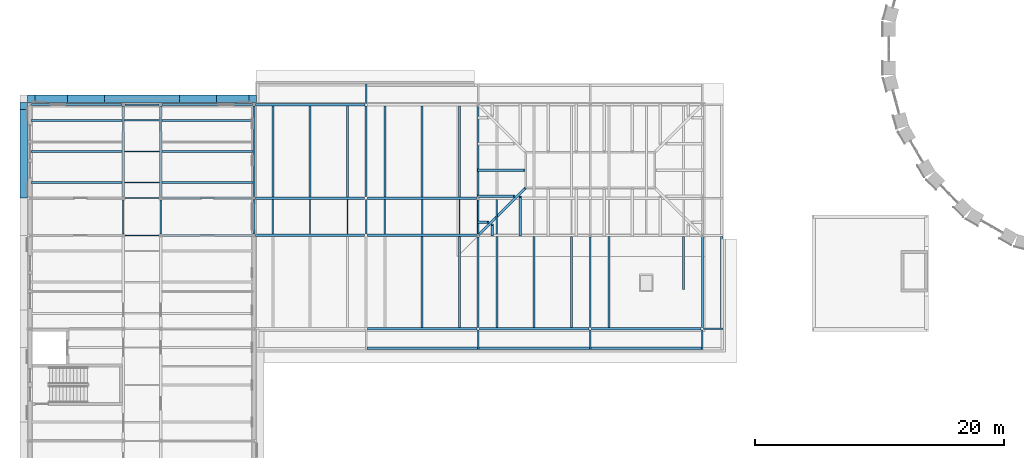
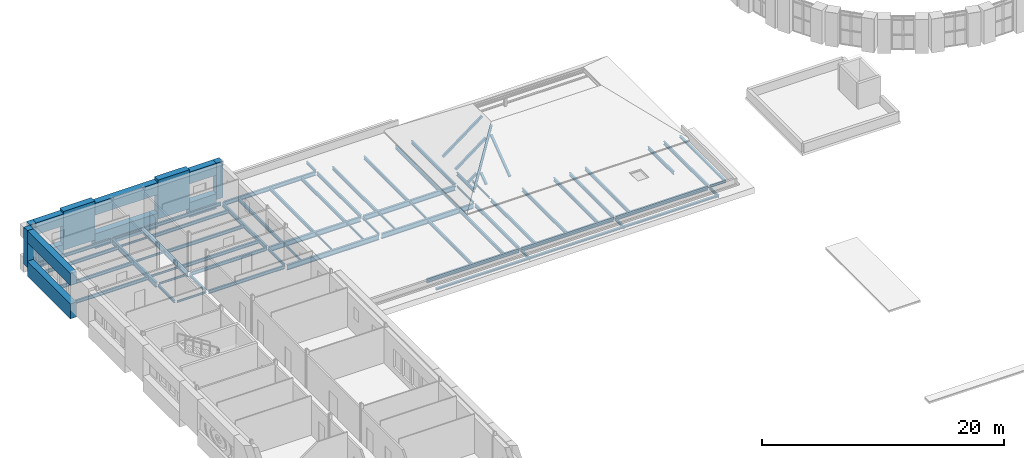
# One storey, part 9 of 42: 75 beams, 11 members.
"""IFC4 building model written with IfcOpenShell, lengths in metres."""

from ifc_helpers import new_model, si_unit, direction, frame, origin, origin_2d, place, context, subcontext, project, spatial, rectangle, hollow_rectangle, i_section, extrude, material, material_profile, profile_set, type_object, element, save


model = new_model("IFC4")

# Units and contexts
model_context = context("Model", 3, precision=1e-05, world=origin(), true_north=direction((0.0, 1.0)))
body_context = subcontext(model_context, "Body", "Model", "MODEL_VIEW")
ifc_project = project(units=[si_unit("LENGTHUNIT", "METRE"), si_unit("AREAUNIT", "SQUARE_METRE"), si_unit("VOLUMEUNIT", "CUBIC_METRE"), si_unit("PLANEANGLEUNIT", "RADIAN"), si_unit("MASSUNIT", "GRAM", prefix="KILO")], contexts=[model_context])

# Site, building, storey
site_placement = place(None, origin())
site = spatial("IfcSite", under=ifc_project, at=site_placement, CompositionType="ELEMENT")
building_placement = place(site_placement, origin())
building = spatial("IfcBuilding", under=site, at=building_placement, Name="Golden Quay Civic Hall", CompositionType="ELEMENT")
storey_placement = place(building_placement, frame((0.0, 0.0, 22.800048828125)))
storey = spatial("IfcBuildingStorey", under=building, at=storey_placement, Name="L05", CompositionType="ELEMENT", Elevation=22.800048828125)

# Beams
ifc_material_1 = material(Name="Steel S355", Category="steel")
ifc_material_profile_1 = material_profile(ifc_material_1, i_section(OverallWidth=0.199951171875, OverallDepth=0.18994140625, WebThickness=0.006591796875, FlangeThickness=0.010009765625, FilletRadius=0.01806640625, at=origin_2d()), Name="HEA 200")
ifc_profile_set_1 = profile_set([ifc_material_profile_1], Name="Steel S355")
beam_type_1 = type_object("IfcBeamType", Name="Eave edge beam HEA 200", PredefinedType="BEAM", material=ifc_profile_set_1)
beam_1_placement = place(storey_placement, frame((55.550048828125, 63.0673828125, -0.344970703125), z_axis=(0.0, 1.0, 0.0), x_axis=(-1.0, 0.0, 0.0)))
element("IfcBeam", 1, at=beam_1_placement, inside=storey, type_object=beam_type_1, Name="Eave edge beam HEA 200 L05 4", PredefinedType="BEAM", context=body_context, shape_type="SweptSolid", body=[
    extrude(i_section(OverallWidth=0.199951171875, OverallDepth=0.18994140625, WebThickness=0.006591796875, FlangeThickness=0.010009765625, FilletRadius=0.01806640625, at=origin_2d()), origin(), (0.0, 0.0, 1.0), 7.365234375),
])
for number, where, z_axis, x_axis, name in (
    (2, (27.0673828125, 61.449951171875, -0.344970703125), (1.0, 0.0, 0.0), (0.0, 1.0, 0.0), "Eave edge beam HEA 200 L05 7"),
    (3, (36.0673828125, 61.449951171875, -0.344970703125), (1.0, 0.0, 0.0), (0.0, 1.0, 0.0), "Eave edge beam HEA 200 L05 8"),
    (4, (45.0673828125, 61.449951171875, -0.344970703125), (1.0, 0.0, 0.0), (0.0, 1.0, 0.0), "Eave edge beam HEA 200 L05 9"),
):
    element("IfcBeam", number, at=place(storey_placement, frame(where, z_axis=z_axis, x_axis=x_axis)), inside=storey, type_object=beam_type_1, Name=name, PredefinedType="BEAM", context=body_context, shape_type="SweptSolid", body=[
        extrude(i_section(OverallWidth=0.199951171875, OverallDepth=0.18994140625, WebThickness=0.006591796875, FlangeThickness=0.010009765625, FilletRadius=0.01806640625, at=origin_2d()), origin(), (0.0, 0.0, 1.0), 8.865234375),
    ])
ifc_material_2 = material(Name="Steel S355", Category="steel")
ifc_material_profile_2 = material_profile(ifc_material_2, i_section(OverallWidth=0.135009765625, OverallDepth=0.27001953125, WebThickness=0.006591796875, FlangeThickness=0.01025390625, FilletRadius=0.014892578125, at=origin_2d()), Name="IPE 270")
ifc_profile_set_2 = profile_set([ifc_material_profile_2], Name="Steel S355")
beam_type_2 = type_object("IfcBeamType", Name="Eave stub IPE 270", PredefinedType="BEAM", material=ifc_profile_set_2)
beam_2_placement = place(storey_placement, frame((27.0, 81.094970703125, -0.385009765625), z_axis=(0.0, 1.0, 0.0), x_axis=(-1.0, 0.0, 0.0)))
element("IfcBeam", 5, at=beam_2_placement, inside=storey, type_object=beam_type_2, Name="Eave stub IPE 270 L05 1", PredefinedType="BEAM", context=body_context, shape_type="SweptSolid", body=[
    extrude(i_section(OverallWidth=0.135009765625, OverallDepth=0.27001953125, WebThickness=0.006591796875, FlangeThickness=0.01025390625, FilletRadius=0.014892578125, at=origin_2d()), origin(), (0.0, 0.0, 1.0), 1.554931640625),
])
beam_3_placement = place(storey_placement, frame((54.10009765625, 63.0, -0.385009765625), z_axis=(1.0, 0.0, 0.0), x_axis=(0.0, 1.0, 0.0)))
element("IfcBeam", 6, at=beam_3_placement, inside=storey, type_object=beam_type_2, Name="Eave stub IPE 270 L05 5", PredefinedType="BEAM", context=body_context, shape_type="SweptSolid", body=[
    extrude(i_section(OverallWidth=0.135009765625, OverallDepth=0.27001953125, WebThickness=0.006591796875, FlangeThickness=0.01025390625, FilletRadius=0.014892578125, at=origin_2d()), origin(), (0.0, 0.0, 1.0), 1.5498046875),
])
for number, where, z_axis, x_axis, name in (
    (7, (36.0, 62.905029296875, -0.385009765625), (0.0, -1.0, 0.0), (1.0, 0.0, 0.0), "Eave stub IPE 270 L05 10"),
    (8, (45.0, 62.905029296875, -0.385009765625), (0.0, -1.0, 0.0), (1.0, 0.0, 0.0), "Eave stub IPE 270 L05 11"),
    (9, (54.0, 62.905029296875, -0.385009765625), (0.0, -1.0, 0.0), (1.0, 0.0, 0.0), "Eave stub IPE 270 L05 12"),
):
    element("IfcBeam", number, at=place(storey_placement, frame(where, z_axis=z_axis, x_axis=x_axis)), inside=storey, type_object=beam_type_2, Name=name, PredefinedType="BEAM", context=body_context, shape_type="SweptSolid", body=[
        extrude(i_section(OverallWidth=0.135009765625, OverallDepth=0.27001953125, WebThickness=0.006591796875, FlangeThickness=0.01025390625, FilletRadius=0.014892578125, at=origin_2d()), origin(), (0.0, 0.0, 1.0), 1.554931640625),
    ])

# Members
ifc_material_3 = material(Name="Concrete C40/50", Category="concrete")
ifc_material_profile_3 = material_profile(ifc_material_3, rectangle(XDim=3.0, YDim=0.60009765625, at=origin_2d()), Name="RC 3000x600")
ifc_profile_set_3 = profile_set([ifc_material_profile_3], Name="Concrete C40/50")
member_type_1 = type_object("IfcMemberType", Name="Precast concrete facade pier 3000 x 600", PredefinedType="POST", material=ifc_profile_set_3)
for number, where, z_axis, x_axis, name in (
    (10, (4.5, 81.5, 0.0), (0.0, 0.0, 1.0), (1.0, 0.0, 0.0), "Precast concrete facade pier 3000 x 600 L05 15"),
    (11, (13.5, 81.5, 0.0), (0.0, 0.0, 1.0), (1.0, 0.0, 0.0), "Precast concrete facade pier 3000 x 600 L05 16"),
):
    element("IfcMember", number, at=place(storey_placement, frame(where, z_axis=z_axis, x_axis=x_axis)), inside=storey, type_object=member_type_1, Name=name, PredefinedType="POST", context=body_context, shape_type="SweptSolid", body=[
        extrude(rectangle(XDim=3.0, YDim=0.60009765625, at=origin_2d()), origin(), (0.0, 0.0, 1.0), 3.919921875),
    ])
ifc_material_4 = material(Name="Concrete C40/50", Category="concrete")
ifc_material_profile_4 = material_profile(ifc_material_4, rectangle(XDim=0.60009765625, YDim=0.60009765625, at=origin_2d()), Name="RC 600x600")
ifc_profile_set_4 = profile_set([ifc_material_profile_4], Name="Concrete C40/50")
member_type_2 = type_object("IfcMemberType", Name="Precast concrete facade post 600 x 600", PredefinedType="POST", material=ifc_profile_set_4)
for number, where, z_axis, x_axis, name in (
    (12, (-0.5, 80.89990234375, 0.0), (0.0, 0.0, 1.0), (1.0, 0.0, 0.0), "Precast concrete facade post 600 x 600 L05 1"),
    (13, (0.10009765625, 81.5, 0.0), (0.0, 0.0, 1.0), (1.0, 0.0, 0.0), "Precast concrete facade post 600 x 600 L05 2"),
    (14, (17.89990234375, 81.5, 0.0), (0.0, 0.0, 1.0), (1.0, 0.0, 0.0), "Precast concrete facade post 600 x 600 L05 3"),
):
    element("IfcMember", number, at=place(storey_placement, frame(where, z_axis=z_axis, x_axis=x_axis)), inside=storey, type_object=member_type_2, Name=name, PredefinedType="POST", context=body_context, shape_type="SweptSolid", body=[
        extrude(rectangle(XDim=0.60009765625, YDim=0.60009765625, at=origin_2d()), origin(), (0.0, 0.0, 1.0), 3.679931640625),
    ])

# Beams
ifc_material_5 = material(Name="Concrete C40/50", Category="concrete")
ifc_material_profile_5 = material_profile(ifc_material_5, rectangle(XDim=0.60009765625, YDim=1.199951171875, at=origin_2d()), Name="RC 600x1200")
ifc_profile_set_5 = profile_set([ifc_material_profile_5], Name="Concrete C40/50")
beam_type_3 = type_object("IfcBeamType", Name="Precast concrete spandrel beam 600 x 1200", PredefinedType="SPANDREL", material=ifc_profile_set_5)
beam_4_placement = place(storey_placement, frame((0.39990234375, 81.5, 3.079833984375), z_axis=(1.0, 0.0, 0.0), x_axis=(0.0, 1.0, 0.0)))
element("IfcBeam", 15, at=beam_4_placement, inside=storey, type_object=beam_type_3, Name="Precast concrete spandrel beam 600 x 1200 L05 2", PredefinedType="SPANDREL", context=body_context, shape_type="SweptSolid", body=[
    extrude(rectangle(XDim=0.60009765625, YDim=1.199951171875, at=origin_2d()), origin(), (0.0, 0.0, 1.0), 2.60009765625),
])
beam_5_placement = place(storey_placement, frame((-0.5, 73.5, 3.079833984375), z_axis=(0.0, 1.0, 0.0), x_axis=(-1.0, 0.0, 0.0)))
element("IfcBeam", 16, at=beam_5_placement, inside=storey, type_object=beam_type_3, Name="Precast concrete spandrel beam 600 x 1200 L05 3", PredefinedType="SPANDREL", context=body_context, shape_type="SweptSolid", body=[
    extrude(rectangle(XDim=0.60009765625, YDim=1.199951171875, at=origin_2d()), origin(), (0.0, 0.0, 1.0), 7.10009765625),
])
beam_6_placement = place(storey_placement, frame((15.0, 81.5, 3.079833984375), z_axis=(1.0, 0.0, 0.0), x_axis=(0.0, 1.0, 0.0)))
element("IfcBeam", 17, at=beam_6_placement, inside=storey, type_object=beam_type_3, Name="Precast concrete spandrel beam 600 x 1200 L05 4", PredefinedType="SPANDREL", context=body_context, shape_type="SweptSolid", body=[
    extrude(rectangle(XDim=0.60009765625, YDim=1.199951171875, at=origin_2d()), origin(), (0.0, 0.0, 1.0), 2.60009765625),
])
beam_7_placement = place(storey_placement, frame((6.0, 81.5, 3.079833984375), z_axis=(1.0, 0.0, 0.0), x_axis=(0.0, 1.0, 0.0)))
element("IfcBeam", 18, at=beam_7_placement, inside=storey, type_object=beam_type_3, Name="Precast concrete spandrel beam 600 x 1200 L05 5", PredefinedType="SPANDREL", context=body_context, shape_type="SweptSolid", body=[
    extrude(rectangle(XDim=0.60009765625, YDim=1.199951171875, at=origin_2d()), origin(), (0.0, 0.0, 1.0), 6.0),
])
ifc_material_6 = material(Name="Concrete C40/50", Category="concrete")
ifc_material_profile_6 = material_profile(ifc_material_6, rectangle(XDim=0.60009765625, YDim=1.5, at=origin_2d()), Name="RC 600x1500")
ifc_profile_set_6 = profile_set([ifc_material_profile_6], Name="Concrete C40/50")
beam_type_4 = type_object("IfcBeamType", Name="Precast concrete spandrel beam 600 x 1500", PredefinedType="SPANDREL", material=ifc_profile_set_6)
beam_8_placement = place(storey_placement, frame((0.39990234375, 81.5, -0.150146484375), z_axis=(1.0, 0.0, 0.0), x_axis=(0.0, 1.0, 0.0)))
element("IfcBeam", 19, at=beam_8_placement, inside=storey, type_object=beam_type_4, Name="Precast concrete spandrel beam 600 x 1500 L05 2", PredefinedType="SPANDREL", context=body_context, shape_type="SweptSolid", body=[
    extrude(rectangle(XDim=0.60009765625, YDim=1.5, at=origin_2d()), origin(), (0.0, 0.0, 1.0), 2.60009765625),
])
beam_9_placement = place(storey_placement, frame((-0.5, 73.5, -0.150146484375), z_axis=(0.0, 1.0, 0.0), x_axis=(-1.0, 0.0, 0.0)))
element("IfcBeam", 20, at=beam_9_placement, inside=storey, type_object=beam_type_4, Name="Precast concrete spandrel beam 600 x 1500 L05 3", PredefinedType="SPANDREL", context=body_context, shape_type="SweptSolid", body=[
    extrude(rectangle(XDim=0.60009765625, YDim=1.5, at=origin_2d()), origin(), (0.0, 0.0, 1.0), 7.10009765625),
])
beam_10_placement = place(storey_placement, frame((15.0, 81.5, -0.150146484375), z_axis=(1.0, 0.0, 0.0), x_axis=(0.0, 1.0, 0.0)))
element("IfcBeam", 21, at=beam_10_placement, inside=storey, type_object=beam_type_4, Name="Precast concrete spandrel beam 600 x 1500 L05 4", PredefinedType="SPANDREL", context=body_context, shape_type="SweptSolid", body=[
    extrude(rectangle(XDim=0.60009765625, YDim=1.5, at=origin_2d()), origin(), (0.0, 0.0, 1.0), 2.60009765625),
])
beam_11_placement = place(storey_placement, frame((6.0, 81.5, -0.150146484375), z_axis=(1.0, 0.0, 0.0), x_axis=(0.0, 1.0, 0.0)))
element("IfcBeam", 22, at=beam_11_placement, inside=storey, type_object=beam_type_4, Name="Precast concrete spandrel beam 600 x 1500 L05 5", PredefinedType="SPANDREL", context=body_context, shape_type="SweptSolid", body=[
    extrude(rectangle(XDim=0.60009765625, YDim=1.5, at=origin_2d()), origin(), (0.0, 0.0, 1.0), 6.0),
])
ifc_material_7 = material(Name="Steel S355", Category="steel")
ifc_material_profile_7 = material_profile(ifc_material_7, i_section(OverallWidth=0.10009765625, OverallDepth=0.199951171875, WebThickness=0.005615234375, FlangeThickness=0.008544921875, FilletRadius=0.011962890625, at=origin_2d()), Name="IPE 200")
ifc_profile_set_7 = profile_set([ifc_material_profile_7], Name="Steel S355")
beam_type_5 = type_object("IfcBeamType", Name="Steel beam IPE 200", PredefinedType="BEAM", material=ifc_profile_set_7)
for number, where, z_axis, x_axis, name in (
    (23, (7.639892578125, 70.5, -0.300048828125), (1.0, 0.0, 0.0), (0.0, 1.0, 0.0), "Beam S70.5-7.5"),
    (24, (7.639892578125, 73.5, -0.300048828125), (1.0, 0.0, 0.0), (0.0, 1.0, 0.0), "Beam S73.5-7.5"),
):
    element("IfcBeam", number, at=place(storey_placement, frame(where, z_axis=z_axis, x_axis=x_axis)), inside=storey, type_object=beam_type_5, Name=name, PredefinedType="BEAM", context=body_context, shape_type="SweptSolid", body=[
        extrude(i_section(OverallWidth=0.10009765625, OverallDepth=0.199951171875, WebThickness=0.005615234375, FlangeThickness=0.008544921875, FilletRadius=0.011962890625, at=origin_2d()), origin(), (0.0, 0.0, 1.0), 2.72021484375),
    ])
beam_12_placement = place(storey_placement, frame((7.6201171875, 81.0, -0.300048828125), z_axis=(1.0, 0.0, 0.0), x_axis=(0.0, 1.0, 0.0)))
element("IfcBeam", 25, at=beam_12_placement, inside=storey, type_object=beam_type_5, Name="Beam S81-7.5", PredefinedType="BEAM", context=body_context, shape_type="SweptSolid", body=[
    extrude(i_section(OverallWidth=0.10009765625, OverallDepth=0.199951171875, WebThickness=0.005615234375, FlangeThickness=0.008544921875, FilletRadius=0.011962890625, at=origin_2d()), origin(), (0.0, 0.0, 1.0), 2.759765625),
])
for number, where, z_axis, x_axis, name in (
    (26, (27.0, 70.614990234375, -0.35009765625), (0.0, 1.0, 0.0), (-1.0, 0.0, 0.0), "Beam S27-70.5"),
    (27, (36.0, 70.614990234375, -0.35009765625), (0.0, 1.0, 0.0), (-1.0, 0.0, 0.0), "Beam S36-70.5"),
):
    element("IfcBeam", number, at=place(storey_placement, frame(where, z_axis=z_axis, x_axis=x_axis)), inside=storey, type_object=beam_type_5, Name=name, PredefinedType="BEAM", context=body_context, shape_type="SweptSolid", body=[
        extrude(i_section(OverallWidth=0.10009765625, OverallDepth=0.199951171875, WebThickness=0.005615234375, FlangeThickness=0.008544921875, FilletRadius=0.011962890625, at=origin_2d()), origin(), (0.0, 0.0, 1.0), 2.77001953125),
    ])
ifc_material_8 = material(Name="Steel S355", Category="steel")
ifc_material_profile_8 = material_profile(ifc_material_8, i_section(OverallWidth=0.135009765625, OverallDepth=0.27001953125, WebThickness=0.006591796875, FlangeThickness=0.01025390625, FilletRadius=0.014892578125, at=origin_2d()), Name="IPE 270")
ifc_profile_set_8 = profile_set([ifc_material_profile_8], Name="Steel S355")
beam_type_6 = type_object("IfcBeamType", Name="Steel beam IPE 270", PredefinedType="BEAM", material=ifc_profile_set_8)
for number, where, z_axis, x_axis, name in (
    (28, (7.5, 70.635009765625, -0.3349609375), (0.0, 1.0, 0.0), (-1.0, 0.0, 0.0), "Beam L7.5-70.5"),
    (29, (10.5, 70.635009765625, -0.3349609375), (0.0, 1.0, 0.0), (-1.0, 0.0, 0.0), "Beam L10.5-70.5"),
):
    element("IfcBeam", number, at=place(storey_placement, frame(where, z_axis=z_axis, x_axis=x_axis)), inside=storey, type_object=beam_type_6, Name=name, PredefinedType="BEAM", context=body_context, shape_type="SweptSolid", body=[
        extrude(i_section(OverallWidth=0.135009765625, OverallDepth=0.27001953125, WebThickness=0.006591796875, FlangeThickness=0.01025390625, FilletRadius=0.014892578125, at=origin_2d()), origin(), (0.0, 0.0, 1.0), 2.72998046875),
    ])
beam_13_placement = place(storey_placement, frame((18.0, 70.614990234375, -0.3349609375), z_axis=(0.0, 1.0, 0.0), x_axis=(-1.0, 0.0, 0.0)))
element("IfcBeam", 30, at=beam_13_placement, inside=storey, type_object=beam_type_6, Name="Beam L18-70.5", PredefinedType="BEAM", context=body_context, shape_type="SweptSolid", body=[
    extrude(i_section(OverallWidth=0.135009765625, OverallDepth=0.27001953125, WebThickness=0.006591796875, FlangeThickness=0.01025390625, FilletRadius=0.014892578125, at=origin_2d()), origin(), (0.0, 0.0, 1.0), 2.77001953125),
])
ifc_material_9 = material(Name="Steel S355", Category="steel")
ifc_material_profile_9 = material_profile(ifc_material_9, i_section(OverallWidth=0.159912109375, OverallDepth=0.330078125, WebThickness=0.007568359375, FlangeThickness=0.011474609375, FilletRadius=0.01806640625, at=origin_2d()), Name="IPE 330")
ifc_profile_set_9 = profile_set([ifc_material_profile_9], Name="Steel S355")
beam_type_7 = type_object("IfcBeamType", Name="Steel beam IPE 330", PredefinedType="BEAM", material=ifc_profile_set_9)
for number, where, z_axis, x_axis, name in (
    (31, (10.639892578125, 70.5, -0.364990234375), (1.0, 0.0, 0.0), (0.0, 1.0, 0.0), "Beam S70.5-10.5"),
    (32, (10.639892578125, 73.5, -0.364990234375), (1.0, 0.0, 0.0), (0.0, 1.0, 0.0), "Beam S73.5-10.5"),
):
    element("IfcBeam", number, at=place(storey_placement, frame(where, z_axis=z_axis, x_axis=x_axis)), inside=storey, type_object=beam_type_7, Name=name, PredefinedType="BEAM", context=body_context, shape_type="SweptSolid", body=[
        extrude(i_section(OverallWidth=0.159912109375, OverallDepth=0.330078125, WebThickness=0.007568359375, FlangeThickness=0.011474609375, FilletRadius=0.01806640625, at=origin_2d()), origin(), (0.0, 0.0, 1.0), 7.239990234375),
    ])
for number, where, z_axis, x_axis, name in (
    (33, (0.1201171875, 81.0, -0.364990234375), (1.0, 0.0, 0.0), (0.0, 1.0, 0.0), "Beam S81-0"),
    (34, (10.6201171875, 81.0, -0.364990234375), (1.0, 0.0, 0.0), (0.0, 1.0, 0.0), "Beam S81-10.5"),
):
    element("IfcBeam", number, at=place(storey_placement, frame(where, z_axis=z_axis, x_axis=x_axis)), inside=storey, type_object=beam_type_7, Name=name, PredefinedType="BEAM", context=body_context, shape_type="SweptSolid", body=[
        extrude(i_section(OverallWidth=0.159912109375, OverallDepth=0.330078125, WebThickness=0.007568359375, FlangeThickness=0.011474609375, FilletRadius=0.01806640625, at=origin_2d()), origin(), (0.0, 0.0, 1.0), 7.259765625),
    ])
for number, where, z_axis, x_axis, name in (
    (35, (27.0, 73.614990234375, -0.4150390625), (0.0, 1.0, 0.0), (-1.0, 0.0, 0.0), "Beam S27-73.5"),
    (36, (36.0, 63.094970703125, -0.4150390625), (0.0, 1.0, 0.0), (-1.0, 0.0, 0.0), "Beam S36-63"),
    (37, (36.0, 73.614990234375, -0.4150390625), (0.0, 1.0, 0.0), (-1.0, 0.0, 0.0), "Beam S36-73.5"),
    (38, (45.0, 63.094970703125, -0.4150390625), (0.0, 1.0, 0.0), (-1.0, 0.0, 0.0), "Beam S45-63"),
):
    element("IfcBeam", number, at=place(storey_placement, frame(where, z_axis=z_axis, x_axis=x_axis)), inside=storey, type_object=beam_type_7, Name=name, PredefinedType="BEAM", context=body_context, shape_type="SweptSolid", body=[
        extrude(i_section(OverallWidth=0.159912109375, OverallDepth=0.330078125, WebThickness=0.007568359375, FlangeThickness=0.011474609375, FilletRadius=0.01806640625, at=origin_2d()), origin(), (0.0, 0.0, 1.0), 7.2900390625),
    ])
beam_14_placement = place(storey_placement, frame((54.0, 63.094970703125, -0.4150390625), z_axis=(0.0, 1.0, 0.0), x_axis=(-1.0, 0.0, 0.0)))
element("IfcBeam", 39, at=beam_14_placement, inside=storey, type_object=beam_type_7, Name="Beam S54-63", PredefinedType="BEAM", context=body_context, shape_type="SweptSolid", body=[
    extrude(i_section(OverallWidth=0.159912109375, OverallDepth=0.330078125, WebThickness=0.007568359375, FlangeThickness=0.011474609375, FilletRadius=0.01806640625, at=origin_2d()), origin(), (0.0, 0.0, 1.0), 7.31005859375),
])
ifc_material_10 = material(Name="Steel S355", Category="steel")
ifc_material_profile_10 = material_profile(ifc_material_10, i_section(OverallWidth=0.179931640625, OverallDepth=0.39990234375, WebThickness=0.008544921875, FlangeThickness=0.013427734375, FilletRadius=0.02099609375, at=origin_2d()), Name="IPE 400")
ifc_profile_set_10 = profile_set([ifc_material_profile_10], Name="Steel S355")
beam_type_8 = type_object("IfcBeamType", Name="Steel beam IPE 400", PredefinedType="BEAM", material=ifc_profile_set_10)
beam_15_placement = place(storey_placement, frame((18.0, 73.614990234375, -0.400146484375), z_axis=(0.0, 1.0, 0.0), x_axis=(-1.0, 0.0, 0.0)))
element("IfcBeam", 40, at=beam_15_placement, inside=storey, type_object=beam_type_8, Name="Beam L18-73.5", PredefinedType="BEAM", context=body_context, shape_type="SweptSolid", body=[
    extrude(i_section(OverallWidth=0.179931640625, OverallDepth=0.39990234375, WebThickness=0.008544921875, FlangeThickness=0.013427734375, FilletRadius=0.02099609375, at=origin_2d()), origin(), (0.0, 0.0, 1.0), 7.27001953125),
])
for number, where, z_axis, x_axis, name in (
    (41, (27.10009765625, 63.0, -0.449951171875), (1.0, 0.0, 0.0), (0.0, 1.0, 0.0), "Beam L63-27"),
    (42, (36.10009765625, 63.0, -0.449951171875), (1.0, 0.0, 0.0), (0.0, 1.0, 0.0), "Beam L63-36"),
    (43, (45.10009765625, 63.0, -0.449951171875), (1.0, 0.0, 0.0), (0.0, 1.0, 0.0), "Beam L63-45"),
):
    element("IfcBeam", number, at=place(storey_placement, frame(where, z_axis=z_axis, x_axis=x_axis)), inside=storey, type_object=beam_type_8, Name=name, PredefinedType="BEAM", context=body_context, shape_type="SweptSolid", body=[
        extrude(i_section(OverallWidth=0.179931640625, OverallDepth=0.39990234375, WebThickness=0.008544921875, FlangeThickness=0.013427734375, FilletRadius=0.02099609375, at=origin_2d()), origin(), (0.0, 0.0, 1.0), 8.7998046875),
    ])
beam_16_placement = place(storey_placement, frame((18.1201171875, 81.0, -0.449951171875), z_axis=(1.0, 0.0, 0.0), x_axis=(0.0, 1.0, 0.0)))
element("IfcBeam", 44, at=beam_16_placement, inside=storey, type_object=beam_type_8, Name="Beam L81-18", PredefinedType="BEAM", context=body_context, shape_type="SweptSolid", body=[
    extrude(i_section(OverallWidth=0.179931640625, OverallDepth=0.39990234375, WebThickness=0.008544921875, FlangeThickness=0.013427734375, FilletRadius=0.02099609375, at=origin_2d()), origin(), (0.0, 0.0, 1.0), 8.77978515625),
])
ifc_material_11 = material(Name="Steel S355", Category="steel")
ifc_material_profile_11 = material_profile(ifc_material_11, i_section(OverallWidth=0.199951171875, OverallDepth=0.5, WebThickness=0.01025390625, FlangeThickness=0.01611328125, FilletRadius=0.02099609375, at=origin_2d()), Name="IPE 500")
ifc_profile_set_11 = profile_set([ifc_material_profile_11], Name="Steel S355")
beam_type_9 = type_object("IfcBeamType", Name="Steel beam IPE 500", PredefinedType="BEAM", material=ifc_profile_set_11)
for number, where, z_axis, x_axis, name in (
    (45, (7.5, 73.635009765625, -0.449951171875), (0.0, 1.0, 0.0), (-1.0, 0.0, 0.0), "Beam L7.5-73.5"),
    (46, (10.5, 73.635009765625, -0.449951171875), (0.0, 1.0, 0.0), (-1.0, 0.0, 0.0), "Beam L10.5-73.5"),
):
    element("IfcBeam", number, at=place(storey_placement, frame(where, z_axis=z_axis, x_axis=x_axis)), inside=storey, type_object=beam_type_9, Name=name, PredefinedType="BEAM", context=body_context, shape_type="SweptSolid", body=[
        extrude(i_section(OverallWidth=0.199951171875, OverallDepth=0.5, WebThickness=0.01025390625, FlangeThickness=0.01611328125, FilletRadius=0.02099609375, at=origin_2d()), origin(), (0.0, 0.0, 1.0), 7.25),
    ])
for number, where, z_axis, x_axis, name in (
    (47, (18.1201171875, 70.5, -0.5), (1.0, 0.0, 0.0), (0.0, 1.0, 0.0), "Beam L70.5-18"),
    (48, (27.1201171875, 70.5, -0.5), (1.0, 0.0, 0.0), (0.0, 1.0, 0.0), "Beam L70.5-27"),
    (49, (18.1201171875, 73.5, -0.5), (1.0, 0.0, 0.0), (0.0, 1.0, 0.0), "Beam L73.5-18"),
    (50, (27.1201171875, 73.5, -0.5), (1.0, 0.0, 0.0), (0.0, 1.0, 0.0), "Beam L73.5-27"),
):
    element("IfcBeam", number, at=place(storey_placement, frame(where, z_axis=z_axis, x_axis=x_axis)), inside=storey, type_object=beam_type_9, Name=name, PredefinedType="BEAM", context=body_context, shape_type="SweptSolid", body=[
        extrude(i_section(OverallWidth=0.199951171875, OverallDepth=0.5, WebThickness=0.01025390625, FlangeThickness=0.01611328125, FilletRadius=0.02099609375, at=origin_2d()), origin(), (0.0, 0.0, 1.0), 8.759765625),
    ])

# Members
ifc_material_12 = material(Name="Steel S355", Category="steel")
ifc_material_profile_12 = material_profile(ifc_material_12, hollow_rectangle(XDim=0.199951171875, YDim=0.199951171875, WallThickness=0.010009765625, at=origin_2d()), Name="SHS 200x200x10")
ifc_profile_set_12 = profile_set([ifc_material_profile_12], Name="Steel S355")
member_type_3 = type_object("IfcMemberType", Name="Steel jack rafter SHS 200x200x10", PredefinedType="RAFTER", material=ifc_profile_set_12)
member_1_placement = place(storey_placement, frame((37.125, 70.5, 1.18994140625), z_axis=(0.0, 0.8, 0.6), x_axis=(-1.0, 0.0, 0.0)))
element("IfcMember", 51, at=member_1_placement, inside=storey, type_object=member_type_3, Name="Jack rafter NW-E south 1", PredefinedType="RAFTER", context=body_context, shape_type="SweptSolid", body=[
    extrude(hollow_rectangle(XDim=0.199951171875, YDim=0.199951171875, WallThickness=0.010009765625, at=origin_2d()), origin(), (0.0, 0.0, 1.0), 1.09375),
])
member_2_placement = place(storey_placement, frame((39.375, 70.5, 1.18994140625), z_axis=(0.0, 0.8, 0.6), x_axis=(-1.0, 0.0, 0.0)))
element("IfcMember", 52, at=member_2_placement, inside=storey, type_object=member_type_3, Name="Jack rafter NW-E south 2", PredefinedType="RAFTER", context=body_context, shape_type="SweptSolid", body=[
    extrude(hollow_rectangle(XDim=0.199951171875, YDim=0.199951171875, WallThickness=0.010009765625, at=origin_2d()), origin(), (0.0, 0.0, 1.0), 3.90625),
])
member_3_placement = place(storey_placement, frame((36.0, 71.550048828125, 1.18994140625), z_axis=(0.799970705032, 0.0, 0.600039057971), x_axis=(0.0, 1.0, 0.0)))
element("IfcMember", 53, at=member_3_placement, inside=storey, type_object=member_type_3, Name="Jack rafter NW-E west 1", PredefinedType="RAFTER", context=body_context, shape_type="SweptSolid", body=[
    extrude(hollow_rectangle(XDim=0.199951171875, YDim=0.199951171875, WallThickness=0.010009765625, at=origin_2d()), origin(), (0.0, 0.0, 1.0), 1.0),
])
member_4_placement = place(storey_placement, frame((36.0, 73.64990234375, 1.18994140625), z_axis=(0.799983835699, 0.0, 0.600021551797), x_axis=(0.0, 1.0, 0.0)))
element("IfcMember", 54, at=member_4_placement, inside=storey, type_object=member_type_3, Name="Jack rafter NW-E west 2", PredefinedType="RAFTER", context=body_context, shape_type="SweptSolid", body=[
    extrude(hollow_rectangle(XDim=0.199951171875, YDim=0.199951171875, WallThickness=0.010009765625, at=origin_2d()), origin(), (0.0, 0.0, 1.0), 3.625),
])
member_5_placement = place(storey_placement, frame((36.0, 75.75, 1.18994140625), z_axis=(0.8, 0.0, 0.6), x_axis=(0.0, 1.0, 0.0)))
element("IfcMember", 55, at=member_5_placement, inside=storey, type_object=member_type_3, Name="Jack rafter NW-E west 3", PredefinedType="RAFTER", context=body_context, shape_type="SweptSolid", body=[
    extrude(hollow_rectangle(XDim=0.199951171875, YDim=0.199951171875, WallThickness=0.010009765625, at=origin_2d()), origin(), (0.0, 0.0, 1.0), 4.6875),
])

# Beams
ifc_material_13 = material(Name="Steel S355", Category="steel")
ifc_material_profile_13 = material_profile(ifc_material_13, i_section(OverallWidth=0.10009765625, OverallDepth=0.199951171875, WebThickness=0.005615234375, FlangeThickness=0.008544921875, FilletRadius=0.011962890625, at=origin_2d()), Name="IPE 200")
ifc_profile_set_13 = profile_set([ifc_material_profile_13], Name="Steel S355")
beam_type_10 = type_object("IfcBeamType", Name="Steel joist IPE 200", PredefinedType="JOIST", material=ifc_profile_set_13)
for number, where, z_axis, x_axis, name in (
    (56, (7.60009765625, 74.75, -0.300048828125), (1.0, 0.0, 0.0), (0.0, 1.0, 0.0), "Joist J74.75-7.5"),
    (57, (7.60009765625, 77.25, -0.300048828125), (1.0, 0.0, 0.0), (0.0, 1.0, 0.0), "Joist J77.25-7.5"),
    (58, (7.60009765625, 79.75, -0.300048828125), (1.0, 0.0, 0.0), (0.0, 1.0, 0.0), "Joist J79.75-7.5"),
    (59, (19.5, 70.60009765625, -0.35009765625), (0.0, 1.0, 0.0), (-1.0, 0.0, 0.0), "Joist J19.5-70.5"),
    (60, (22.5, 70.60009765625, -0.35009765625), (0.0, 1.0, 0.0), (-1.0, 0.0, 0.0), "Joist J22.5-70.5"),
    (61, (25.5, 70.60009765625, -0.35009765625), (0.0, 1.0, 0.0), (-1.0, 0.0, 0.0), "Joist J25.5-70.5"),
    (62, (28.5, 70.60009765625, -0.35009765625), (0.0, 1.0, 0.0), (-1.0, 0.0, 0.0), "Joist J28.5-70.5"),
    (63, (31.5, 70.60009765625, -0.35009765625), (0.0, 1.0, 0.0), (-1.0, 0.0, 0.0), "Joist J31.5-70.5"),
    (64, (34.5, 70.60009765625, -0.35009765625), (0.0, 1.0, 0.0), (-1.0, 0.0, 0.0), "Joist J34.5-70.5"),
    (65, (37.5, 70.60009765625, -0.35009765625), (0.0, 1.0, 0.0), (-1.0, 0.0, 0.0), "Joist J37.5-70.5"),
):
    element("IfcBeam", number, at=place(storey_placement, frame(where, z_axis=z_axis, x_axis=x_axis)), inside=storey, type_object=beam_type_10, Name=name, PredefinedType="JOIST", context=body_context, shape_type="SweptSolid", body=[
        extrude(i_section(OverallWidth=0.10009765625, OverallDepth=0.199951171875, WebThickness=0.005615234375, FlangeThickness=0.008544921875, FilletRadius=0.011962890625, at=origin_2d()), origin(), (0.0, 0.0, 1.0), 2.7998046875),
    ])
ifc_material_14 = material(Name="Steel S355", Category="steel")
ifc_material_profile_14 = material_profile(ifc_material_14, i_section(OverallWidth=0.159912109375, OverallDepth=0.330078125, WebThickness=0.007568359375, FlangeThickness=0.011474609375, FilletRadius=0.01806640625, at=origin_2d()), Name="IPE 330")
ifc_profile_set_14 = profile_set([ifc_material_profile_14], Name="Steel S355")
beam_type_11 = type_object("IfcBeamType", Name="Steel joist IPE 330", PredefinedType="JOIST", material=ifc_profile_set_14)
for number, where, z_axis, x_axis, name in (
    (66, (0.090087890625, 74.75, -0.364990234375), (1.0, 0.0, 0.0), (0.0, 1.0, 0.0), "Joist J74.75-0"),
    (67, (10.60009765625, 74.75, -0.364990234375), (1.0, 0.0, 0.0), (0.0, 1.0, 0.0), "Joist J74.75-10.5"),
    (68, (0.090087890625, 77.25, -0.364990234375), (1.0, 0.0, 0.0), (0.0, 1.0, 0.0), "Joist J77.25-0"),
    (69, (10.60009765625, 77.25, -0.364990234375), (1.0, 0.0, 0.0), (0.0, 1.0, 0.0), "Joist J77.25-10.5"),
    (70, (0.090087890625, 79.75, -0.364990234375), (1.0, 0.0, 0.0), (0.0, 1.0, 0.0), "Joist J79.75-0"),
    (71, (10.60009765625, 79.75, -0.364990234375), (1.0, 0.0, 0.0), (0.0, 1.0, 0.0), "Joist J79.75-10.5"),
    (72, (19.5, 73.60009765625, -0.4150390625), (0.0, 1.0, 0.0), (-1.0, 0.0, 0.0), "Joist J19.5-73.5"),
    (73, (22.5, 73.60009765625, -0.4150390625), (0.0, 1.0, 0.0), (-1.0, 0.0, 0.0), "Joist J22.5-73.5"),
    (74, (25.5, 73.60009765625, -0.4150390625), (0.0, 1.0, 0.0), (-1.0, 0.0, 0.0), "Joist J25.5-73.5"),
    (75, (28.5, 73.60009765625, -0.4150390625), (0.0, 1.0, 0.0), (-1.0, 0.0, 0.0), "Joist J28.5-73.5"),
    (76, (31.5, 63.090087890625, -0.4150390625), (0.0, 1.0, 0.0), (-1.0, 0.0, 0.0), "Joist J31.5-63"),
    (77, (31.5, 73.60009765625, -0.4150390625), (0.0, 1.0, 0.0), (-1.0, 0.0, 0.0), "Joist J31.5-73.5"),
    (78, (34.5, 63.090087890625, -0.4150390625), (0.0, 1.0, 0.0), (-1.0, 0.0, 0.0), "Joist J34.5-63"),
    (79, (34.5, 73.60009765625, -0.4150390625), (0.0, 1.0, 0.0), (-1.0, 0.0, 0.0), "Joist J34.5-73.5"),
    (80, (37.5, 63.090087890625, -0.4150390625), (0.0, 1.0, 0.0), (-1.0, 0.0, 0.0), "Joist J37.5-63"),
    (81, (40.5, 63.090087890625, -0.4150390625), (0.0, 1.0, 0.0), (-1.0, 0.0, 0.0), "Joist J40.5-63"),
    (82, (43.5, 63.090087890625, -0.4150390625), (0.0, 1.0, 0.0), (-1.0, 0.0, 0.0), "Joist J43.5-63"),
    (83, (46.5, 63.090087890625, -0.4150390625), (0.0, 1.0, 0.0), (-1.0, 0.0, 0.0), "Joist J46.5-63"),
):
    element("IfcBeam", number, at=place(storey_placement, frame(where, z_axis=z_axis, x_axis=x_axis)), inside=storey, type_object=beam_type_11, Name=name, PredefinedType="JOIST", context=body_context, shape_type="SweptSolid", body=[
        extrude(i_section(OverallWidth=0.159912109375, OverallDepth=0.330078125, WebThickness=0.007568359375, FlangeThickness=0.011474609375, FilletRadius=0.01806640625, at=origin_2d()), origin(), (0.0, 0.0, 1.0), 7.309814453125),
    ])
beam_17_placement = place(storey_placement, frame((52.5, 66.14990234375, -0.4150390625), z_axis=(0.0, 1.0, 0.0), x_axis=(-1.0, 0.0, 0.0)))
element("IfcBeam", 84, at=beam_17_placement, inside=storey, type_object=beam_type_11, Name="Joist J52.5-63-1", PredefinedType="JOIST", context=body_context, shape_type="SweptSolid", body=[
    extrude(i_section(OverallWidth=0.159912109375, OverallDepth=0.330078125, WebThickness=0.007568359375, FlangeThickness=0.011474609375, FilletRadius=0.01806640625, at=origin_2d()), origin(), (0.0, 0.0, 1.0), 4.25),
])

# Member
ifc_material_15 = material(Name="Steel S355", Category="steel")
ifc_material_profile_15 = material_profile(ifc_material_15, hollow_rectangle(XDim=0.199951171875, YDim=0.199951171875, WallThickness=0.010009765625, at=origin_2d()), Name="SHS 200x200x10")
ifc_profile_set_15 = profile_set([ifc_material_profile_15], Name="Steel S355")
member_type_4 = type_object("IfcMemberType", Name="Steel pavilion hip rafter SHS 200x200x10", PredefinedType="RAFTER", material=ifc_profile_set_15)
member_6_placement = place(storey_placement, frame((36.0, 70.5, 1.1533203125), z_axis=(0.625782928891, 0.625782928891, 0.465608689584), x_axis=(-0.707106781187, 0.707106781187, 0.0)))
element("IfcMember", 85, at=member_6_placement, inside=storey, type_object=member_type_4, Name="Hip rafter NW-E south-west", PredefinedType="RAFTER", context=body_context, shape_type="SweptSolid", body=[
    extrude(hollow_rectangle(XDim=0.199951171875, YDim=0.199951171875, WallThickness=0.010009765625, at=origin_2d()), origin(), (0.0, 0.0, 1.0), 6.04052734375),
])

# Beam
ifc_material_16 = material(Name="Steel S355", Category="steel")
ifc_material_profile_16 = material_profile(ifc_material_16, i_section(OverallWidth=0.159912109375, OverallDepth=0.330078125, WebThickness=0.007568359375, FlangeThickness=0.011474609375, FilletRadius=0.01806640625, at=origin_2d()), Name="IPE 330")
ifc_profile_set_16 = profile_set([ifc_material_profile_16], Name="Steel S355")
beam_type_12 = type_object("IfcBeamType", Name="Steel wall plate beam IPE 330", PredefinedType="BEAM", material=ifc_profile_set_16)
beam_18_placement = place(storey_placement, frame((36.0, 70.5, 0.945068359375), z_axis=(0.0, 1.0, 0.0), x_axis=(-1.0, 0.0, 0.0)))
element("IfcBeam", 86, at=beam_18_placement, inside=storey, type_object=beam_type_12, Name="Wall plate beam NW-E W1", PredefinedType="BEAM", context=body_context, shape_type="SweptSolid", body=[
    extrude(i_section(OverallWidth=0.159912109375, OverallDepth=0.330078125, WebThickness=0.007568359375, FlangeThickness=0.011474609375, FilletRadius=0.01806640625, at=origin_2d()), origin(), (0.0, 0.0, 1.0), 2.885009765625),
])

save(model, "model.ifc")
